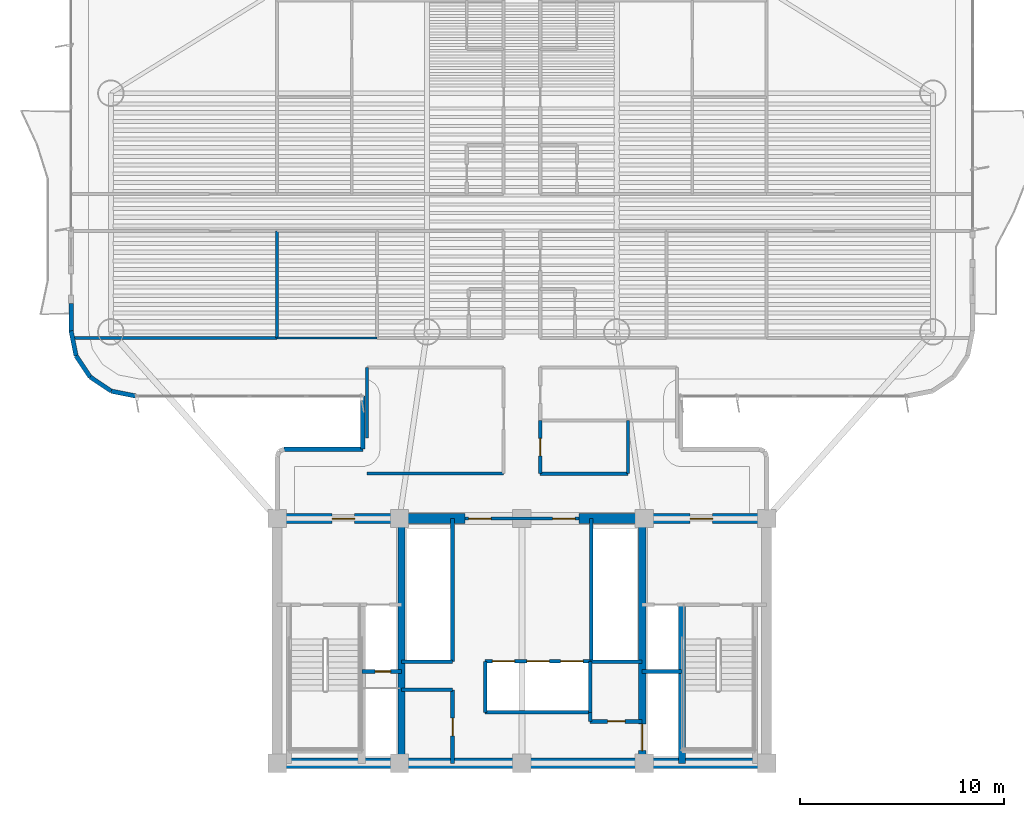
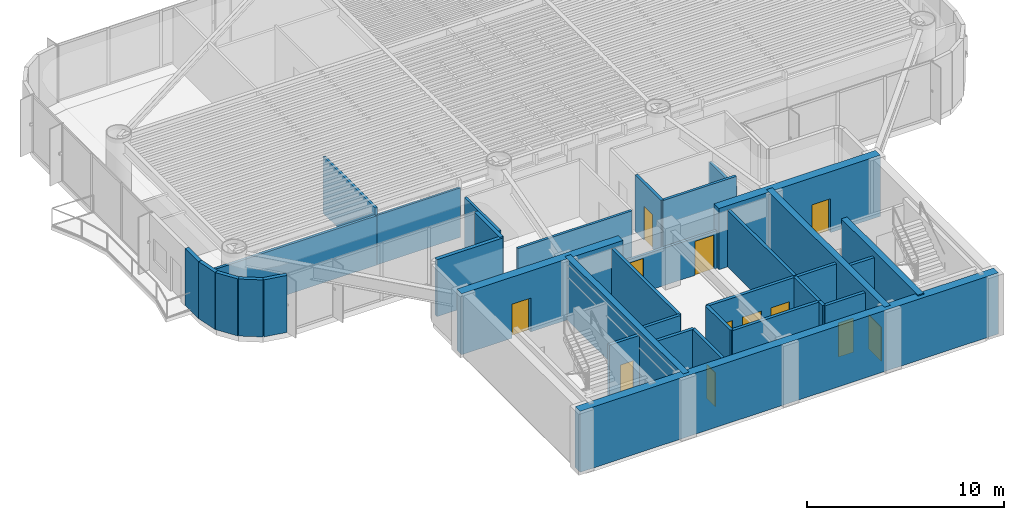
# One storey, part 9 of 17: 36 walls, 12 doors, 12 openings.
"""IFC4 building model written with IfcOpenShell, lengths in metres."""

from ifc_helpers import new_model, si_unit, direction, frame, frame_2d, origin, origin_2d, place, context, subcontext, project, spatial, rectangle, extrude, source, transform, mapped, material, layer, layer_set, type_object, element, fill, save


model = new_model("IFC4")

# Units and contexts
model_context = context("Model", 3, precision=1e-05, world=origin(), true_north=direction((0.0, 1.0)))
body_context = subcontext(model_context, "Body", "Model", "MODEL_VIEW")
ifc_project = project(units=[si_unit("LENGTHUNIT", "METRE"), si_unit("AREAUNIT", "SQUARE_METRE"), si_unit("VOLUMEUNIT", "CUBIC_METRE"), si_unit("PLANEANGLEUNIT", "RADIAN"), si_unit("MASSUNIT", "GRAM", prefix="KILO")], contexts=[model_context])

# Site, building, storey
site_placement = place(None, origin())
site = spatial("IfcSite", under=ifc_project, at=site_placement, CompositionType="ELEMENT")
building_placement = place(site_placement, origin())
building = spatial("IfcBuilding", under=site, at=building_placement, Name="Brelvock Crest Care Tower", CompositionType="ELEMENT")
storey_placement = place(building_placement, frame((0.0, 0.0, 89.820068359375)))
storey = spatial("IfcBuildingStorey", under=building, at=storey_placement, Name="L22", CompositionType="ELEMENT", Elevation=89.820068359375)

# Wall
ifc_material_1 = material(Name="Concrete S80 (80 MPa)", Category="concrete")
ifc_layer_1 = layer(ifc_material_1, 0.5, Name="WL-CS2")
ifc_layer_set_1 = layer_set([ifc_layer_1], Name="Concrete S80 (80 MPa)")
wall_type_1 = type_object("IfcWallType", Name="WL-CS2", PredefinedType="SHEAR", material=ifc_layer_set_1)
wall_1_placement = place(storey_placement, frame((48.25, 6.0, 0.0), z_axis=(0.0, 0.0, 1.0), x_axis=(-1.0, 0.0, 0.0)))
element("IfcWall", 1, at=wall_1_placement, inside=storey, type_object=wall_type_1, Name="L22 Core South Shear Wall", PredefinedType="SHEAR", context=body_context, shape_type="SweptSolid", body=[
    extrude(rectangle(XDim=24.5, YDim=0.5, at=frame_2d((12.25, 0.0))), origin(), (0.0, 0.0, 1.0), 3.780029296875),
])

# Wall, opening, door
wall_2_placement = place(storey_placement, frame((23.75, 18.0, 0.0), z_axis=(0.0, 0.0, 1.0), x_axis=(1.0, 0.0, 0.0)))
wall_2 = element("IfcWall", 2, at=wall_2_placement, inside=storey, type_object=wall_type_1, Name="L22 Core North-West Shear Wall", PredefinedType="SHEAR", context=body_context, shape_type="SweptSolid", body=[
    extrude(rectangle(XDim=9.449951171875, YDim=0.5, at=frame_2d((4.72509765625, 0.0))), origin(), (0.0, 0.0, 1.0), 3.780029296875),
])
opening_1_placement = place(wall_2_placement, frame((2.949951171875, 0.0, 0.0)))
opening_1 = element("IfcOpeningElement", 3, at=opening_1_placement, cuts=wall_2, Name="Opening FD-1", PredefinedType="OPENING", context=body_context, shape_type="SweptSolid", body=[
    extrude(rectangle(XDim=1.10009765625, YDim=2.10009765625, at=origin_2d()), frame((0.550048828125, 0.260009765625, 1.050048828125), z_axis=(0.0, -1.0, 0.0), x_axis=(1.0, 0.0, 0.0)), (0.0, 0.0, 1.0), 0.52001953125),
])
ifc_material_2 = material(Name="Steel Grade 350", Category="steel")
door_type_1 = type_object("IfcDoorType", Name="DR-FFL1", OperationType="NOTDEFINED", PredefinedType="DOOR", material=ifc_material_2)
shared_shape_1 = source(origin(), body_context, "Body", "SweptSolid", [
    extrude(rectangle(XDim=1.10009765625, YDim=2.10009765625, at=origin_2d()), frame((0.550048828125, 0.02490234375, 1.050048828125), z_axis=(0.0, -1.0, 0.0), x_axis=(1.0, 0.0, 0.0)), (0.0, 0.0, 1.0), 0.050048828125),
])
door_1_placement = place(opening_1_placement, origin())
door_1 = element("IfcDoor", 4, at=door_1_placement, inside=storey, type_object=door_type_1, Name="L22 Firefighting Lobby FFL-1 Exit Door", OperationType="SINGLE_SWING_LEFT", OverallHeight=2.10009765625, OverallWidth=1.10009765625, PredefinedType="DOOR", context=body_context, shape_type="MappedRepresentation", body=[
    mapped(shared_shape_1, transform((0.0, 0.0, 0.0), x_axis=(1.0, 0.0, 0.0), y_axis=(0.0, 1.0, 0.0), z_axis=(0.0, 0.0, 1.0), scale=1.0)),
])
fill(opening_1, door_1)

wall_3_placement = place(storey_placement, frame((38.800048828125, 18.0, 0.0), z_axis=(0.0, 0.0, 1.0), x_axis=(1.0, 0.0, 0.0)))
wall_3 = element("IfcWall", 5, at=wall_3_placement, inside=storey, type_object=wall_type_1, Name="L22 Core North-East Shear Wall", PredefinedType="SHEAR", context=body_context, shape_type="SweptSolid", body=[
    extrude(rectangle(XDim=9.449951171875, YDim=0.5, at=frame_2d((4.72509765625, 0.0))), origin(), (0.0, 0.0, 1.0), 3.780029296875),
])
opening_2_placement = place(wall_3_placement, frame((5.449951171875, 0.0, 0.0)))
opening_2 = element("IfcOpeningElement", 6, at=opening_2_placement, cuts=wall_3, Name="Opening FD-1", PredefinedType="OPENING", context=body_context, shape_type="SweptSolid", body=[
    extrude(rectangle(XDim=1.10009765625, YDim=2.10009765625, at=origin_2d()), frame((0.550048828125, 0.260009765625, 1.050048828125), z_axis=(0.0, -1.0, 0.0), x_axis=(1.0, 0.0, 0.0)), (0.0, 0.0, 1.0), 0.52001953125),
])
door_2_placement = place(opening_2_placement, origin())
door_2 = element("IfcDoor", 7, at=door_2_placement, inside=storey, type_object=door_type_1, Name="L22 Firefighting Lobby FFL-2 Exit Door", OperationType="SINGLE_SWING_RIGHT", OverallHeight=2.10009765625, OverallWidth=1.10009765625, PredefinedType="DOOR", context=body_context, shape_type="MappedRepresentation", body=[
    mapped(shared_shape_1, transform((0.0, 0.0, 0.0), x_axis=(1.0, 0.0, 0.0), y_axis=(0.0, 1.0, 0.0), z_axis=(0.0, 0.0, 1.0), scale=1.0)),
])
fill(opening_2, door_2)

# Wall
ifc_layer_2 = layer(ifc_material_1, 0.35009765625, Name="WL-CS5")
ifc_layer_set_2 = layer_set([ifc_layer_2], Name="Concrete S80 (80 MPa)")
wall_type_2 = type_object("IfcWallType", Name="WL-CS5", PredefinedType="SHEAR", material=ifc_layer_set_2)
wall_4_placement = place(storey_placement, frame((30.10009765625, 6.0, 0.0), z_axis=(0.0, 0.0, 1.0), x_axis=(0.0, 1.0, 0.0)))
element("IfcWall", 8, at=wall_4_placement, inside=storey, type_object=wall_type_2, Name="L22 Core Internal Web Wall West", PredefinedType="SHEAR", context=body_context, shape_type="SweptSolid", body=[
    extrude(rectangle(XDim=12.0, YDim=0.35009765625, at=frame_2d((6.0, 0.0))), origin(), (0.0, 0.0, 1.0), 3.780029296875),
])

# Wall, opening, door
wall_5_placement = place(storey_placement, frame((41.89990234375, 18.0, 0.0), z_axis=(0.0, 0.0, 1.0), x_axis=(0.0, -1.0, 0.0)))
wall_5 = element("IfcWall", 9, at=wall_5_placement, inside=storey, type_object=wall_type_2, Name="L22 Core Internal Web Wall East", PredefinedType="SHEAR", context=body_context, shape_type="SweptSolid", body=[
    extrude(rectangle(XDim=12.0, YDim=0.35009765625, at=frame_2d((6.0, 0.0))), origin(), (0.0, 0.0, 1.0), 3.780029296875),
])
opening_3_placement = place(wall_5_placement, frame((10.080078125, 0.0, 0.0)))
opening_3 = element("IfcOpeningElement", 10, at=opening_3_placement, cuts=wall_5, Name="Opening LD-S", PredefinedType="OPENING", context=body_context, shape_type="SweptSolid", body=[
    extrude(rectangle(XDim=1.300048828125, YDim=2.10009765625, at=origin_2d()), frame((0.64990234375, 0.18505859375, 1.050048828125), z_axis=(0.0, -1.0, 0.0), x_axis=(1.0, 0.0, 0.0)), (0.0, 0.0, 1.0), 0.3701171875),
])
door_type_2 = type_object("IfcDoorType", Name="DR-LDS1", OperationType="NOTDEFINED", PredefinedType="DOOR", material=ifc_material_2)
shared_shape_2 = source(origin(), body_context, "Body", "SweptSolid", [
    extrude(rectangle(XDim=1.300048828125, YDim=2.10009765625, at=origin_2d()), frame((0.64990234375, 0.02490234375, 1.050048828125), z_axis=(0.0, -1.0, 0.0), x_axis=(1.0, 0.0, 0.0)), (0.0, 0.0, 1.0), 0.050048828125),
])
door_3_placement = place(opening_3_placement, origin())
door_3 = element("IfcDoor", 11, at=door_3_placement, inside=storey, type_object=door_type_2, Name="L22 Clinical Bed Lift SL-1 Landing Door", OperationType="SLIDING_TO_LEFT", OverallHeight=2.10009765625, OverallWidth=1.300048828125, PredefinedType="DOOR", context=body_context, shape_type="MappedRepresentation", body=[
    mapped(shared_shape_2, transform((0.0, 0.0, 0.0), x_axis=(1.0, 0.0, 0.0), y_axis=(0.0, 1.0, 0.0), z_axis=(0.0, 0.0, 1.0), scale=1.0)),
])
fill(opening_3, door_3)

# Walls
wall_6_placement = place(storey_placement, frame((43.85009765625, 6.0, 0.0), z_axis=(0.0, 0.0, 1.0), x_axis=(0.0, 1.0, 0.0)))
element("IfcWall", 12, at=wall_6_placement, inside=storey, type_object=wall_type_2, Name="L22 Core Stair ST-2 West Shear Wall", PredefinedType="SHEAR", context=body_context, shape_type="SweptSolid", body=[
    extrude(rectangle(XDim=7.780029296875, YDim=0.35009765625, at=frame_2d((3.89013671875, 0.0))), origin(), (0.0, 0.0, 1.0), 3.849853515625),
])
ifc_material_3 = material(Name="Precast concrete N40 (40 MPa)", Category="concrete")
ifc_layer_3 = layer(ifc_material_3, 0.215087890625, Name="WL-EX2")
ifc_layer_set_3 = layer_set([ifc_layer_3], Name="Precast concrete N40 (40 MPa)")
wall_type_3 = type_object("IfcWallType", Name="WL-EX2", PredefinedType="SOLIDWALL", material=ifc_layer_set_3)
wall_7_placement = place(storey_placement, frame((24.35009765625, 21.39990234375, 0.0), z_axis=(0.0, 0.0, 1.0), x_axis=(1.0, 0.0, 0.0)))
element("IfcWall", 13, at=wall_7_placement, inside=storey, type_object=wall_type_3, Name="L22 Rounded Corner Wall 10", PredefinedType="SOLIDWALL", context=body_context, shape_type="SweptSolid", body=[
    extrude(rectangle(XDim=3.849853515625, YDim=0.215087890625, at=frame_2d((1.9248046875, 0.0))), origin(), (0.0, 0.0, 1.0), 3.530029296875),
])
wall_8_placement = place(storey_placement, frame((28.199951171875, 21.39990234375, 0.0), z_axis=(0.0, 0.0, 1.0), x_axis=(0.0, 1.0, 0.0)))
element("IfcWall", 14, at=wall_8_placement, inside=storey, type_object=wall_type_3, Name="L22 Rounded Corner Wall 11", PredefinedType="SOLIDWALL", context=body_context, shape_type="SweptSolid", body=[
    extrude(rectangle(XDim=2.60009765625, YDim=0.215087890625, at=frame_2d((1.300048828125, 0.0))), origin(), (0.0, 0.0, 1.0), 3.530029296875),
])
for number, where, z_axis, x_axis, name in (
    (15, (17.10009765625, 24.0, 0.0), (0.0, 0.0, 1.0), (-0.980775717779, 0.195138390419, 0.0), "L22 Rounded Corner Wall 13"),
    (16, (15.87548828125, 24.24365234375, 0.0), (0.0, 0.0, 1.0), (-0.831478245117, 0.555557312883, 0.0), "L22 Rounded Corner Wall 14"),
    (17, (14.83740234375, 24.937255859375, 0.0), (0.0, 0.0, 1.0), (-0.555692485475, 0.831387912822, 0.0), "L22 Rounded Corner Wall 15"),
    (18, (14.1435546875, 25.975341796875, 0.0), (0.0, 0.0, 1.0), (-0.195138390419, 0.980775717779, 0.0), "L22 Rounded Corner Wall 16"),
):
    element("IfcWall", number, at=place(storey_placement, frame(where, z_axis=z_axis, x_axis=x_axis)), inside=storey, type_object=wall_type_3, Name=name, PredefinedType="SOLIDWALL", context=body_context, shape_type="SweptSolid", body=[
        extrude(rectangle(XDim=1.24853515625, YDim=0.215087890625, at=frame_2d((0.624267578125, 0.0))), origin(), (0.0, 0.0, 1.0), 3.530029296875),
    ])
wall_9_placement = place(storey_placement, frame((13.89990234375, 27.199951171875, 0.0), z_axis=(0.0, 0.0, 1.0), x_axis=(0.0, 1.0, 0.0)))
element("IfcWall", 19, at=wall_9_placement, inside=storey, type_object=wall_type_3, Name="L22 Exterior Spandrel Pier E17A", PredefinedType="SOLIDWALL", context=body_context, shape_type="SweptSolid", body=[
    extrude(rectangle(XDim=1.35009765625, YDim=0.215087890625, at=frame_2d((0.675048828125, 0.0))), origin(), (0.0, 0.0, 1.0), 3.530029296875),
])

# Wall, openings, doors
ifc_material_4 = material(Name="Masonry Blockwork Acoustic Partition", Category="masonry")
ifc_layer_4 = layer(ifc_material_4, 0.14990234375, Name="WL-INT1")
ifc_layer_set_4 = layer_set([ifc_layer_4], Name="Masonry Blockwork Acoustic Partition")
wall_type_4 = type_object("IfcWallType", Name="WL-INT1", PredefinedType="PARTITIONING", material=ifc_layer_set_4)
wall_10_placement = place(storey_placement, frame((33.199951171875, 18.0, 0.0), z_axis=(0.0, 0.0, 1.0), x_axis=(1.0, 0.0, 0.0)))
wall_10 = element("IfcWall", 20, at=wall_10_placement, inside=storey, type_object=wall_type_4, Name="L22 Interior Wall WL-CORE-NPORT-L22", PredefinedType="PARTITIONING", context=body_context, shape_type="SweptSolid", body=[
    extrude(rectangle(XDim=5.60009765625, YDim=0.14990234375, at=frame_2d((2.800048828125, 0.0))), origin(), (0.0, 0.0, 1.0), 2.31494140625),
])
opening_4_placement = place(wall_10_placement, frame((0.18994140625, 0.0, 0.0)))
opening_4 = element("IfcOpeningElement", 21, at=opening_4_placement, cuts=wall_10, Name="Opening FD-1", PredefinedType="OPENING", context=body_context, shape_type="SweptSolid", body=[
    extrude(rectangle(XDim=1.10009765625, YDim=2.10009765625, at=origin_2d()), frame((0.550048828125, 0.0849609375, 1.050048828125), z_axis=(0.0, -1.0, 0.0), x_axis=(1.0, 0.0, 0.0)), (0.0, 0.0, 1.0), 0.169921875),
])
opening_5_placement = place(wall_10_placement, frame((4.31005859375, 0.0, 0.0)))
opening_5 = element("IfcOpeningElement", 22, at=opening_5_placement, cuts=wall_10, Name="Opening FD-1", PredefinedType="OPENING", context=body_context, shape_type="SweptSolid", body=[
    extrude(rectangle(XDim=1.10009765625, YDim=2.10009765625, at=origin_2d()), frame((0.550048828125, 0.0849609375, 1.050048828125), z_axis=(0.0, -1.0, 0.0), x_axis=(1.0, 0.0, 0.0)), (0.0, 0.0, 1.0), 0.169921875),
])
door_4_placement = place(opening_4_placement, origin())
door_4 = element("IfcDoor", 23, at=door_4_placement, inside=storey, type_object=door_type_1, Name="L22 Lift Lobby North Smoke Door West", OperationType="SINGLE_SWING_LEFT", OverallHeight=2.10009765625, OverallWidth=1.10009765625, PredefinedType="DOOR", context=body_context, shape_type="MappedRepresentation", body=[
    mapped(shared_shape_1, transform((0.0, 0.0, 0.0), x_axis=(1.0, 0.0, 0.0), y_axis=(0.0, 1.0, 0.0), z_axis=(0.0, 0.0, 1.0), scale=1.0)),
])
fill(opening_4, door_4)
door_5_placement = place(opening_5_placement, origin())
door_5 = element("IfcDoor", 24, at=door_5_placement, inside=storey, type_object=door_type_1, Name="L22 Lift Lobby North Smoke Door East", OperationType="SINGLE_SWING_RIGHT", OverallHeight=2.10009765625, OverallWidth=1.10009765625, PredefinedType="DOOR", context=body_context, shape_type="MappedRepresentation", body=[
    mapped(shared_shape_1, transform((0.0, 0.0, 0.0), x_axis=(1.0, 0.0, 0.0), y_axis=(0.0, 1.0, 0.0), z_axis=(0.0, 0.0, 1.0), scale=1.0)),
])
fill(opening_5, door_5)

# Walls
wall_11_placement = place(storey_placement, frame((28.39990234375, 20.199951171875, 0.0), z_axis=(0.0, 0.0, 1.0), x_axis=(1.0, 0.0, 0.0)))
element("IfcWall", 25, at=wall_11_placement, inside=storey, type_object=wall_type_4, Name="L22 Interior Wall WL-BX-L22-THW-S", PredefinedType="PARTITIONING", context=body_context, shape_type="SweptSolid", body=[
    extrude(rectangle(XDim=6.7001953125, YDim=0.14990234375, at=frame_2d((3.35009765625, 0.0))), origin(), (0.0, 0.0, 1.0), 3.5),
])
wall_12_placement = place(storey_placement, frame((14.05126953125, 26.85009765625, 0.0), z_axis=(0.0, 0.0, 1.0), x_axis=(1.0, 0.0, 0.0)))
element("IfcWall", 26, at=wall_12_placement, inside=storey, type_object=wall_type_4, Name="L22 Interior Wall WL-BX-L22-ISWO-S", PredefinedType="PARTITIONING", context=body_context, shape_type="SweptSolid", body=[
    extrude(rectangle(XDim=9.94873046875, YDim=0.14990234375, at=frame_2d((4.974365234375, 0.0))), origin(), (0.0, 0.0, 1.0), 3.054931640625),
])
wall_13_placement = place(storey_placement, frame((24.0, 26.85009765625, 0.0), z_axis=(0.0, 0.0, 1.0), x_axis=(0.0, 1.0, 0.0)))
element("IfcWall", 27, at=wall_13_placement, inside=storey, type_object=wall_type_4, Name="L22 Interior Wall WL-BX-L22-ISWIS-W", PredefinedType="PARTITIONING", context=body_context, shape_type="SweptSolid", body=[
    extrude(rectangle(XDim=5.25, YDim=0.14990234375, at=frame_2d((2.625, 0.0))), origin(), (0.0, 0.0, 1.0), 3.5),
])
wall_14_placement = place(storey_placement, frame((28.39990234375, 21.957275390625, 0.0), z_axis=(0.0, 0.0, 1.0), x_axis=(0.0, 1.0, 0.0)))
element("IfcWall", 28, at=wall_14_placement, inside=storey, type_object=wall_type_4, Name="L22 Interior Wall WL-BX-L22-THW-W2", PredefinedType="PARTITIONING", context=body_context, shape_type="SweptSolid", body=[
    extrude(rectangle(XDim=3.442626953125, YDim=0.14990234375, at=frame_2d((1.72119140625, 0.0))), origin(), (0.0, 0.0, 1.0), 3.5),
])
ifc_material_5 = material(Name="Gypsum Plasterboard Partition", Category="gypsum")
ifc_layer_5 = layer(ifc_material_5, 0.1201171875, Name="WL-INT2")
ifc_layer_set_5 = layer_set([ifc_layer_5], Name="Gypsum Plasterboard Partition")
wall_type_5 = type_object("IfcWallType", Name="WL-INT2", PredefinedType="PARTITIONING", material=ifc_layer_set_5)
wall_15_placement = place(storey_placement, frame((24.0, 26.85009765625, 0.0), z_axis=(0.0, 0.0, 1.0), x_axis=(1.0, 0.0, 0.0)))
element("IfcWall", 29, at=wall_15_placement, inside=storey, type_object=wall_type_5, Name="L22 Interior Wall WL-BX-L22-ISWIS-S", PredefinedType="PARTITIONING", context=body_context, shape_type="SweptSolid", body=[
    extrude(rectangle(XDim=4.89990234375, YDim=0.1201171875, at=frame_2d((2.449951171875, 0.0))), origin(), (0.0, 0.0, 1.0), 3.054931640625),
])
ifc_layer_6 = layer(ifc_material_5, 0.159912109375, Name="WL-PLM1")
ifc_layer_set_6 = layer_set([ifc_layer_6], Name="Gypsum Plasterboard Partition")
wall_type_6 = type_object("IfcWallType", Name="WL-PLM1", PredefinedType="PLUMBINGWALL", material=ifc_layer_set_6)
wall_16_placement = place(storey_placement, frame((36.89990234375, 20.199951171875, 0.0), z_axis=(0.0, 0.0, 1.0), x_axis=(1.0, 0.0, 0.0)))
element("IfcWall", 30, at=wall_16_placement, inside=storey, type_object=wall_type_6, Name="L22 Interior Wall WL-BX-L22-THE1-S", PredefinedType="PLUMBINGWALL", context=body_context, shape_type="SweptSolid", body=[
    extrude(rectangle(XDim=4.300048828125, YDim=0.159912109375, at=frame_2d((2.14990234375, 0.0))), origin(), (0.0, 0.0, 1.0), 3.5),
])

# Wall, opening, door
wall_17_placement = place(storey_placement, frame((36.89990234375, 20.199951171875, 0.0), z_axis=(0.0, 0.0, 1.0), x_axis=(0.0, 1.0, 0.0)))
wall_17 = element("IfcWall", 31, at=wall_17_placement, inside=storey, type_object=wall_type_6, Name="L22 Interior Wall WL-RM-L22-THE1", PredefinedType="PLUMBINGWALL", context=body_context, shape_type="SweptSolid", body=[
    extrude(rectangle(XDim=2.60009765625, YDim=0.159912109375, at=frame_2d((1.300048828125, 0.0))), origin(), (0.0, 0.0, 1.0), 3.5),
])
opening_6_placement = place(wall_17_placement, frame((0.8701171875, 0.0, 0.0)))
opening_6 = element("IfcOpeningElement", 32, at=opening_6_placement, cuts=wall_17, Name="Opening WD-1", PredefinedType="OPENING", context=body_context, shape_type="SweptSolid", body=[
    extrude(rectangle(XDim=0.860107421875, YDim=2.10009765625, at=origin_2d()), frame((0.43017578125, 0.08984375, 1.050048828125), z_axis=(0.0, -1.0, 0.0), x_axis=(1.0, 0.0, 0.0)), (0.0, 0.0, 1.0), 0.179931640625),
])
ifc_material_6 = material(Name="Engineered Hardwood Timber", Category="wood")
door_type_3 = type_object("IfcDoorType", Name="DR-WC1", OperationType="NOTDEFINED", PredefinedType="DOOR", material=ifc_material_6)
shared_shape_3 = source(origin(), body_context, "Body", "SweptSolid", [
    extrude(rectangle(XDim=0.860107421875, YDim=2.10009765625, at=origin_2d()), frame((0.43017578125, 0.02490234375, 1.050048828125), z_axis=(0.0, -1.0, 0.0), x_axis=(1.0, 0.0, 0.0)), (0.0, 0.0, 1.0), 0.050048828125),
])
door_6_placement = place(opening_6_placement, origin())
door_6 = element("IfcDoor", 33, at=door_6_placement, inside=storey, type_object=door_type_3, Name="L22 Floor Accessible WC Door THE1", OperationType="SINGLE_SWING_LEFT", OverallHeight=2.10009765625, OverallWidth=0.860107421875, PredefinedType="DOOR", context=body_context, shape_type="MappedRepresentation", body=[
    mapped(shared_shape_3, transform((0.0, 0.0, 0.0), x_axis=(1.0, 0.0, 0.0), y_axis=(0.0, 1.0, 0.0), z_axis=(0.0, 0.0, 1.0), scale=1.0)),
])
fill(opening_6, door_6)

# Walls
wall_18_placement = place(storey_placement, frame((41.199951171875, 20.199951171875, 0.0), z_axis=(0.0, 0.0, 1.0), x_axis=(0.0, 1.0, 0.0)))
element("IfcWall", 34, at=wall_18_placement, inside=storey, type_object=wall_type_6, Name="L22 Interior Wall WL-BX-L22-THE1-E", PredefinedType="PLUMBINGWALL", context=body_context, shape_type="SweptSolid", body=[
    extrude(rectangle(XDim=2.60009765625, YDim=0.159912109375, at=frame_2d((1.300048828125, 0.0))), origin(), (0.0, 0.0, 1.0), 2.81494140625),
])
ifc_layer_7 = layer(ifc_material_4, 0.179931640625, Name="WL-SHF1")
ifc_layer_set_7 = layer_set([ifc_layer_7], Name="Masonry Blockwork Acoustic Partition")
wall_type_7 = type_object("IfcWallType", Name="WL-SHF1", PredefinedType="PARTITIONING", material=ifc_layer_set_7)
wall_19_placement = place(storey_placement, frame((34.199951171875, 8.5, 0.0), z_axis=(0.0, 0.0, 1.0), x_axis=(1.0, 0.0, 0.0)))
element("IfcWall", 35, at=wall_19_placement, inside=storey, type_object=wall_type_7, Name="L22 Interior Wall WL-PLM-S-L22", PredefinedType="PARTITIONING", context=body_context, shape_type="SweptSolid", body=[
    extrude(rectangle(XDim=5.150146484375, YDim=0.179931640625, at=frame_2d((2.5751953125, 0.0))), origin(), (0.0, 0.0, 1.0), 3.5),
])
for number, where, z_axis, x_axis, name in (
    (36, (34.199951171875, 8.5, 0.0), (0.0, 0.0, 1.0), (0.0, 1.0, 0.0), "L22 Interior Wall WL-PLM-W-L22"),
    (37, (39.35009765625, 8.5, 0.0), (0.0, 0.0, 1.0), (0.0, 1.0, 0.0), "L22 Interior Wall WL-PLM-E-L22"),
):
    element("IfcWall", number, at=place(storey_placement, frame(where, z_axis=z_axis, x_axis=x_axis)), inside=storey, type_object=wall_type_7, Name=name, PredefinedType="PARTITIONING", context=body_context, shape_type="SweptSolid", body=[
        extrude(rectangle(XDim=2.5, YDim=0.179931640625, at=frame_2d((1.25, 0.0))), origin(), (0.0, 0.0, 1.0), 3.5),
    ])
wall_20_placement = place(storey_placement, frame((39.39990234375, 11.0, 0.0), z_axis=(0.0, 0.0, 1.0), x_axis=(0.0, 1.0, 0.0)))
element("IfcWall", 38, at=wall_20_placement, inside=storey, type_object=wall_type_7, Name="L22 Interior Wall WL-PLH-SHF-L22", PredefinedType="PARTITIONING", context=body_context, shape_type="SweptSolid", body=[
    extrude(rectangle(XDim=7.0, YDim=0.179931640625, at=frame_2d((3.5, 0.0))), origin(), (0.0, 0.0, 1.0), 3.5),
])
for number, where, z_axis, x_axis, name in (
    (39, (30.10009765625, 10.97998046875, 0.0), (0.0, 0.0, 1.0), (1.0, 0.0, 0.0), "L22 Interior Wall WL-CSBW-N-L22"),
    (40, (30.10009765625, 9.60009765625, 0.0), (0.0, 0.0, 1.0), (1.0, 0.0, 0.0), "L22 Interior Wall WL-CSBW-S1-L22"),
):
    element("IfcWall", number, at=place(storey_placement, frame(where, z_axis=z_axis, x_axis=x_axis)), inside=storey, type_object=wall_type_7, Name=name, PredefinedType="PARTITIONING", context=body_context, shape_type="SweptSolid", body=[
        extrude(rectangle(XDim=2.5, YDim=0.179931640625, at=frame_2d((1.25, 0.0))), origin(), (0.0, 0.0, 1.0), 3.5),
    ])

# Wall, opening, door
wall_21_placement = place(storey_placement, frame((32.60009765625, 6.0, 0.0), z_axis=(0.0, 0.0, 1.0), x_axis=(0.0, 1.0, 0.0)))
wall_21 = element("IfcWall", 41, at=wall_21_placement, inside=storey, type_object=wall_type_7, Name="L22 Interior Wall WL-CSBW-E-L22", PredefinedType="PARTITIONING", context=body_context, shape_type="SweptSolid", body=[
    extrude(rectangle(XDim=3.60009765625, YDim=0.179931640625, at=frame_2d((1.800048828125, 0.0))), origin(), (0.0, 0.0, 1.0), 3.5),
])
opening_7_placement = place(wall_21_placement, frame((1.35009765625, 0.0, 0.0)))
opening_7 = element("IfcOpeningElement", 42, at=opening_7_placement, cuts=wall_21, Name="Opening ID-1", PredefinedType="OPENING", context=body_context, shape_type="SweptSolid", body=[
    extrude(rectangle(XDim=0.860107421875, YDim=2.10009765625, at=origin_2d()), frame((0.43017578125, 0.10009765625, 1.050048828125), z_axis=(0.0, -1.0, 0.0), x_axis=(1.0, 0.0, 0.0)), (0.0, 0.0, 1.0), 0.199951171875),
])
door_type_4 = type_object("IfcDoorType", Name="DR-INT1", OperationType="NOTDEFINED", PredefinedType="DOOR", material=ifc_material_6)
shared_shape_4 = source(origin(), body_context, "Body", "SweptSolid", [
    extrude(rectangle(XDim=0.860107421875, YDim=2.10009765625, at=origin_2d()), frame((0.43017578125, 0.02490234375, 1.050048828125), z_axis=(0.0, -1.0, 0.0), x_axis=(1.0, 0.0, 0.0)), (0.0, 0.0, 1.0), 0.050048828125),
])
door_7_placement = place(opening_7_placement, origin())
door_7 = element("IfcDoor", 43, at=door_7_placement, inside=storey, type_object=door_type_4, Name="DR-CSBW-L22", OperationType="SINGLE_SWING_LEFT", OverallHeight=2.10009765625, OverallWidth=0.860107421875, PredefinedType="DOOR", context=body_context, shape_type="MappedRepresentation", body=[
    mapped(shared_shape_4, transform((0.0, 0.0, 0.0), x_axis=(1.0, 0.0, 0.0), y_axis=(0.0, 1.0, 0.0), z_axis=(0.0, 0.0, 1.0), scale=1.0)),
])
fill(opening_7, door_7)

# Walls
wall_22_placement = place(storey_placement, frame((39.35009765625, 10.97998046875, 0.0), z_axis=(0.0, 0.0, 1.0), x_axis=(1.0, 0.0, 0.0)))
element("IfcWall", 44, at=wall_22_placement, inside=storey, type_object=wall_type_7, Name="L22 Interior Wall WL-CSBE-N-L22", PredefinedType="PARTITIONING", context=body_context, shape_type="SweptSolid", body=[
    extrude(rectangle(XDim=2.5498046875, YDim=0.179931640625, at=frame_2d((1.27490234375, 0.0))), origin(), (0.0, 0.0, 1.0), 3.5),
])
wall_23_placement = place(storey_placement, frame((39.35009765625, 8.050048828125, 0.0), z_axis=(0.0, 0.0, 1.0), x_axis=(0.0, 1.0, 0.0)))
element("IfcWall", 45, at=wall_23_placement, inside=storey, type_object=wall_type_7, Name="L22 Interior Wall WL-CSBE-W-L22", PredefinedType="PARTITIONING", context=body_context, shape_type="SweptSolid", body=[
    extrude(rectangle(XDim=0.449951171875, YDim=0.179931640625, at=frame_2d((0.22509765625, 0.0))), origin(), (0.0, 0.0, 1.0), 3.5),
])

# Wall, opening, door
wall_24_placement = place(storey_placement, frame((39.35009765625, 8.050048828125, 0.0), z_axis=(0.0, 0.0, 1.0), x_axis=(1.0, 0.0, 0.0)))
wall_24 = element("IfcWall", 46, at=wall_24_placement, inside=storey, type_object=wall_type_7, Name="L22 Interior Wall WL-CSBE-S-L22", PredefinedType="PARTITIONING", context=body_context, shape_type="SweptSolid", body=[
    extrude(rectangle(XDim=2.5498046875, YDim=0.179931640625, at=frame_2d((1.27490234375, 0.0))), origin(), (0.0, 0.0, 1.0), 3.5),
])
opening_8_placement = place(wall_24_placement, frame((0.85009765625, 0.0, 0.0)))
opening_8 = element("IfcOpeningElement", 47, at=opening_8_placement, cuts=wall_24, Name="Opening ID-1", PredefinedType="OPENING", context=body_context, shape_type="SweptSolid", body=[
    extrude(rectangle(XDim=0.860107421875, YDim=2.10009765625, at=origin_2d()), frame((0.43017578125, 0.10009765625, 1.050048828125), z_axis=(0.0, -1.0, 0.0), x_axis=(1.0, 0.0, 0.0)), (0.0, 0.0, 1.0), 0.199951171875),
])
door_8_placement = place(opening_8_placement, origin())
door_8 = element("IfcDoor", 48, at=door_8_placement, inside=storey, type_object=door_type_4, Name="DR-CSBE-L22", OperationType="SINGLE_SWING_LEFT", OverallHeight=2.10009765625, OverallWidth=0.860107421875, PredefinedType="DOOR", context=body_context, shape_type="MappedRepresentation", body=[
    mapped(shared_shape_4, transform((0.0, 0.0, 0.0), x_axis=(1.0, 0.0, 0.0), y_axis=(0.0, 1.0, 0.0), z_axis=(0.0, 0.0, 1.0), scale=1.0)),
])
fill(opening_8, door_8)

wall_25_placement = place(storey_placement, frame((28.14990234375, 10.5, 0.0), z_axis=(0.0, 0.0, 1.0), x_axis=(1.0, 0.0, 0.0)))
wall_25 = element("IfcWall", 49, at=wall_25_placement, inside=storey, type_object=wall_type_7, Name="L22 Interior Wall WL-FFH1-S-L22", PredefinedType="PARTITIONING", context=body_context, shape_type="SweptSolid", body=[
    extrude(rectangle(XDim=1.9501953125, YDim=0.179931640625, at=frame_2d((0.97509765625, 0.0))), origin(), (0.0, 0.0, 1.0), 3.5),
])
opening_9_placement = place(wall_25_placement, frame((0.64990234375, 0.0, 0.0)))
opening_9 = element("IfcOpeningElement", 50, at=opening_9_placement, cuts=wall_25, Name="Opening RD-1", PredefinedType="OPENING", context=body_context, shape_type="SweptSolid", body=[
    extrude(rectangle(XDim=0.760009765625, YDim=2.050048828125, at=origin_2d()), frame((0.3798828125, 0.10009765625, 1.02490234375), z_axis=(0.0, -1.0, 0.0), x_axis=(1.0, 0.0, 0.0)), (0.0, 0.0, 1.0), 0.199951171875),
])
door_type_5 = type_object("IfcDoorType", Name="DR-RIS1", OperationType="NOTDEFINED", PredefinedType="DOOR", material=ifc_material_2)
shared_shape_5 = source(origin(), body_context, "Body", "SweptSolid", [
    extrude(rectangle(XDim=0.760009765625, YDim=2.050048828125, at=origin_2d()), frame((0.3798828125, 0.02490234375, 1.02490234375), z_axis=(0.0, -1.0, 0.0), x_axis=(1.0, 0.0, 0.0)), (0.0, 0.0, 1.0), 0.050048828125),
])
door_9_placement = place(opening_9_placement, origin())
door_9 = element("IfcDoor", 51, at=door_9_placement, inside=storey, type_object=door_type_5, Name="L22 Wet Fire Riser Access Door", OperationType="SINGLE_SWING_LEFT", OverallHeight=2.050048828125, OverallWidth=0.760009765625, PredefinedType="DOOR", context=body_context, shape_type="MappedRepresentation", body=[
    mapped(shared_shape_5, transform((0.0, 0.0, 0.0), x_axis=(1.0, 0.0, 0.0), y_axis=(0.0, 1.0, 0.0), z_axis=(0.0, 0.0, 1.0), scale=1.0)),
])
fill(opening_9, door_9)

# Walls
wall_26_placement = place(storey_placement, frame((41.89990234375, 10.5, 0.0), z_axis=(0.0, 0.0, 1.0), x_axis=(1.0, 0.0, 0.0)))
element("IfcWall", 52, at=wall_26_placement, inside=storey, type_object=wall_type_7, Name="L22 Interior Wall WL-FFH2-S-L22", PredefinedType="PARTITIONING", context=body_context, shape_type="SweptSolid", body=[
    extrude(rectangle(XDim=1.9501953125, YDim=0.179931640625, at=frame_2d((0.97509765625, 0.0))), origin(), (0.0, 0.0, 1.0), 3.5),
])
wall_27_placement = place(storey_placement, frame((32.60009765625, 11.0, 0.0), z_axis=(0.0, 0.0, 1.0), x_axis=(0.0, 1.0, 0.0)))
element("IfcWall", 53, at=wall_27_placement, inside=storey, type_object=wall_type_7, Name="L22 Interior Wall WL-PLL-SHF-L22", PredefinedType="PARTITIONING", context=body_context, shape_type="SweptSolid", body=[
    extrude(rectangle(XDim=7.0, YDim=0.179931640625, at=frame_2d((3.5, 0.0))), origin(), (0.0, 0.0, 1.0), 3.5),
])

# Wall, openings, doors
wall_28_placement = place(storey_placement, frame((34.199951171875, 11.0, 0.0), z_axis=(0.0, 0.0, 1.0), x_axis=(1.0, 0.0, 0.0)))
wall_28 = element("IfcWall", 54, at=wall_28_placement, inside=storey, type_object=wall_type_7, Name="L22 Interior Wall WL-PLM-BANK-L22", PredefinedType="PARTITIONING", context=body_context, shape_type="SweptSolid", body=[
    extrude(rectangle(XDim=5.150146484375, YDim=0.179931640625, at=frame_2d((2.5751953125, 0.0))), origin(), (0.0, 0.0, 1.0), 3.5),
])
opening_10_placement = place(wall_28_placement, frame((0.35009765625, 0.0, 0.0)))
opening_10 = element("IfcOpeningElement", 55, at=opening_10_placement, cuts=wall_28, Name="Opening LD", PredefinedType="OPENING", context=body_context, shape_type="SweptSolid", body=[
    extrude(rectangle(XDim=1.10009765625, YDim=2.10009765625, at=origin_2d()), frame((0.550048828125, 0.10009765625, 1.050048828125), z_axis=(0.0, -1.0, 0.0), x_axis=(1.0, 0.0, 0.0)), (0.0, 0.0, 1.0), 0.199951171875),
])
opening_11_placement = place(wall_28_placement, frame((2.050048828125, 0.0, 0.0)))
opening_11 = element("IfcOpeningElement", 56, at=opening_11_placement, cuts=wall_28, Name="Opening LD", PredefinedType="OPENING", context=body_context, shape_type="SweptSolid", body=[
    extrude(rectangle(XDim=1.10009765625, YDim=2.10009765625, at=origin_2d()), frame((0.550048828125, 0.10009765625, 1.050048828125), z_axis=(0.0, -1.0, 0.0), x_axis=(1.0, 0.0, 0.0)), (0.0, 0.0, 1.0), 0.199951171875),
])
opening_12_placement = place(wall_28_placement, frame((3.699951171875, 0.0, 0.0)))
opening_12 = element("IfcOpeningElement", 57, at=opening_12_placement, cuts=wall_28, Name="Opening LD", PredefinedType="OPENING", context=body_context, shape_type="SweptSolid", body=[
    extrude(rectangle(XDim=1.10009765625, YDim=2.10009765625, at=origin_2d()), frame((0.550048828125, 0.10009765625, 1.050048828125), z_axis=(0.0, -1.0, 0.0), x_axis=(1.0, 0.0, 0.0)), (0.0, 0.0, 1.0), 0.199951171875),
])
door_type_6 = type_object("IfcDoorType", Name="DR-LD1", OperationType="NOTDEFINED", PredefinedType="DOOR", material=ifc_material_2)
shared_shape_6 = source(origin(), body_context, "Body", "SweptSolid", [
    extrude(rectangle(XDim=1.10009765625, YDim=2.10009765625, at=origin_2d()), frame((0.550048828125, 0.02490234375, 1.050048828125), z_axis=(0.0, -1.0, 0.0), x_axis=(1.0, 0.0, 0.0)), (0.0, 0.0, 1.0), 0.050048828125),
])
door_10_placement = place(opening_10_placement, origin())
door_10 = element("IfcDoor", 58, at=door_10_placement, inside=storey, type_object=door_type_6, Name="L22 Lift PL-M1 Landing Door", OperationType="SLIDING_TO_LEFT", OverallHeight=2.10009765625, OverallWidth=1.10009765625, PredefinedType="DOOR", context=body_context, shape_type="MappedRepresentation", body=[
    mapped(shared_shape_6, transform((0.0, 0.0, 0.0), x_axis=(1.0, 0.0, 0.0), y_axis=(0.0, 1.0, 0.0), z_axis=(0.0, 0.0, 1.0), scale=1.0)),
])
fill(opening_10, door_10)
door_11_placement = place(opening_11_placement, origin())
door_11 = element("IfcDoor", 59, at=door_11_placement, inside=storey, type_object=door_type_6, Name="L22 Lift PL-M2 Landing Door", OperationType="SLIDING_TO_LEFT", OverallHeight=2.10009765625, OverallWidth=1.10009765625, PredefinedType="DOOR", context=body_context, shape_type="MappedRepresentation", body=[
    mapped(shared_shape_6, transform((0.0, 0.0, 0.0), x_axis=(1.0, 0.0, 0.0), y_axis=(0.0, 1.0, 0.0), z_axis=(0.0, 0.0, 1.0), scale=1.0)),
])
fill(opening_11, door_11)
door_12_placement = place(opening_12_placement, origin())
door_12 = element("IfcDoor", 60, at=door_12_placement, inside=storey, type_object=door_type_6, Name="L22 Lift PL-M3 Landing Door", OperationType="SLIDING_TO_LEFT", OverallHeight=2.10009765625, OverallWidth=1.10009765625, PredefinedType="DOOR", context=body_context, shape_type="MappedRepresentation", body=[
    mapped(shared_shape_6, transform((0.0, 0.0, 0.0), x_axis=(1.0, 0.0, 0.0), y_axis=(0.0, 1.0, 0.0), z_axis=(0.0, 0.0, 1.0), scale=1.0)),
])
fill(opening_12, door_12)

save(model, "model.ifc")
